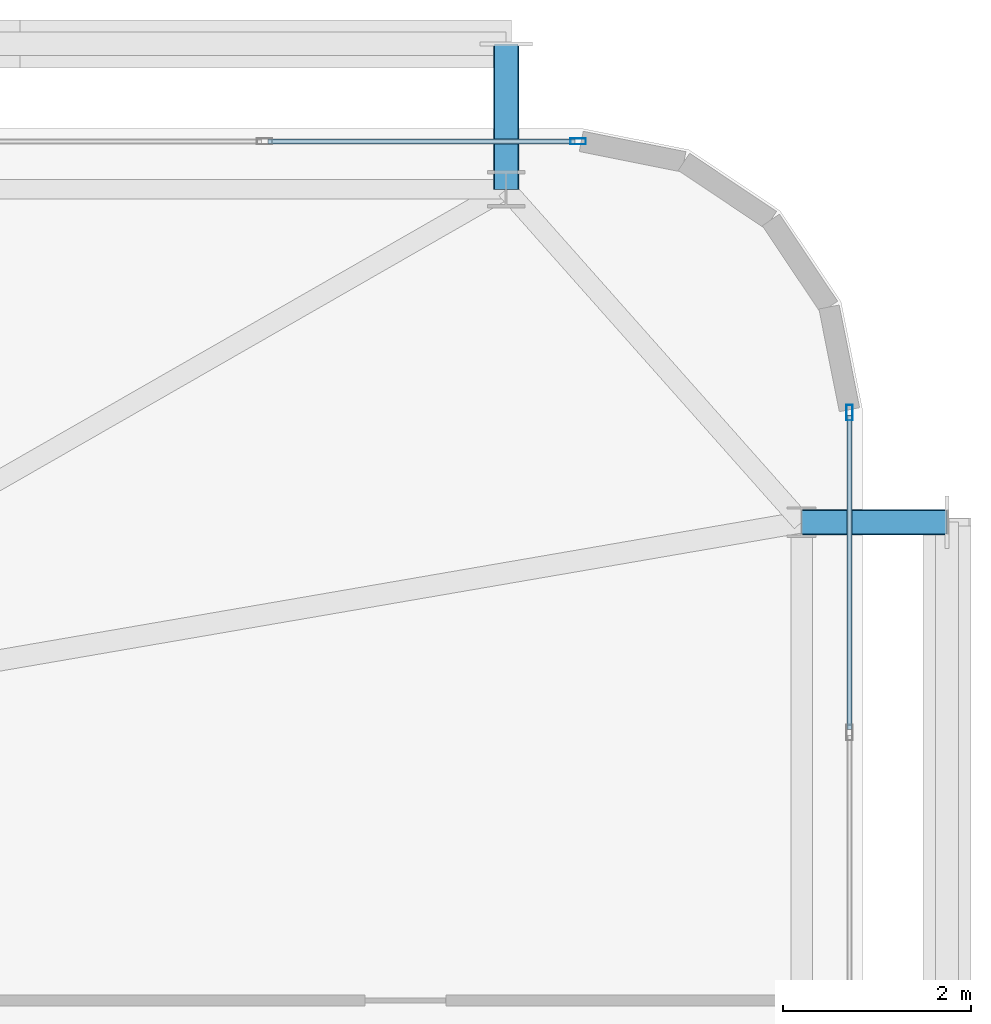
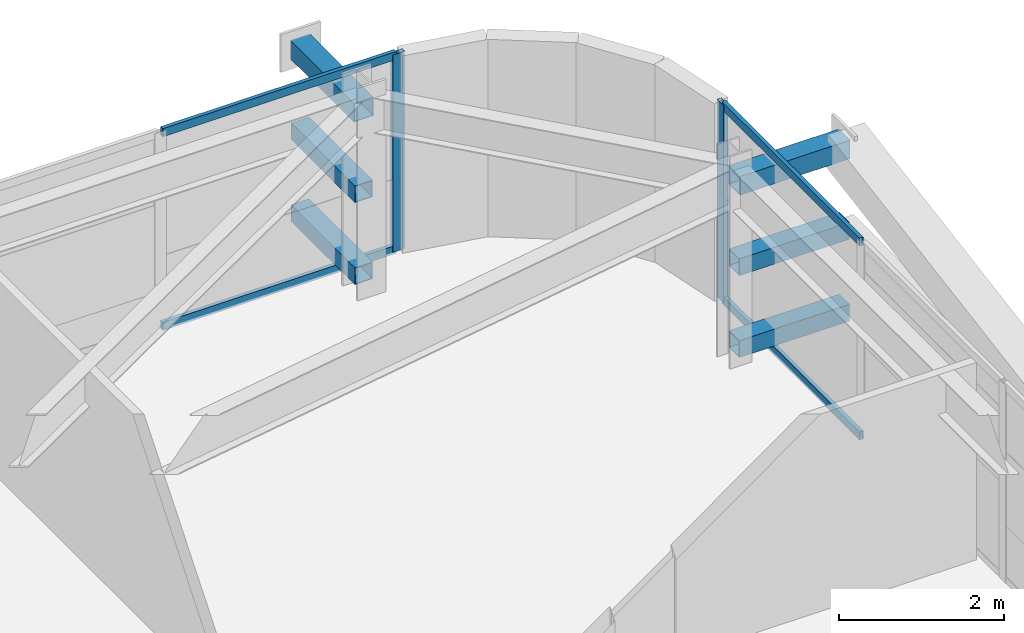
# One storey, part 41 of 59: 12 members, 2 elements without a shape of their own.
"""IFC4 building model written with IfcOpenShell, lengths in metres."""

from ifc_helpers import new_model, si_unit, direction, frame, origin, origin_2d, place, context, subcontext, project, spatial, hollow_rectangle, extrude, source, transform, mapped, material, layer, layer_set, material_profile, profile_set, type_object, element, aggregate, save


model = new_model("IFC4")

# Units and contexts
model_context = context("Model", 3, precision=1e-05, world=origin(), true_north=direction((0.0, 1.0)))
body_context = subcontext(model_context, "Body", "Model", "MODEL_VIEW")
ifc_project = project(units=[si_unit("LENGTHUNIT", "METRE"), si_unit("AREAUNIT", "SQUARE_METRE"), si_unit("VOLUMEUNIT", "CUBIC_METRE"), si_unit("PLANEANGLEUNIT", "RADIAN"), si_unit("MASSUNIT", "GRAM", prefix="KILO")], contexts=[model_context])

# Site, building, storey
site_placement = place(None, origin())
site = spatial("IfcSite", under=ifc_project, at=site_placement, CompositionType="ELEMENT")
building_placement = place(site_placement, origin())
building = spatial("IfcBuilding", under=site, at=building_placement, Name="Taldren Reach Tower", CompositionType="ELEMENT")
storey_placement = place(building_placement, frame((0.0, 0.0, 26.25)))
storey = spatial("IfcBuildingStorey", under=building, at=storey_placement, Name="L07", CompositionType="ELEMENT", Elevation=26.25)

# Members
ifc_material_1 = material(Name="Steel Gr 450 (C450L0)", Category="steel")
ifc_material_profile_1 = material_profile(ifc_material_1, hollow_rectangle(XDim=0.27490234375, YDim=0.27490234375, WallThickness=0.00927734375, at=origin_2d()), Name="275x275x9.3SHS")
ifc_profile_set_1 = profile_set([ifc_material_profile_1], Name="Steel Gr 450 (C450L0)")
member_type_1 = type_object("IfcMemberType", Name="MB-TIE273", PredefinedType="STRUT", material=ifc_profile_set_1)
shared_shape_1 = source(origin(), body_context, "Body", "SweptSolid", [
    extrude(hollow_rectangle(XDim=0.27490234375, YDim=0.27490234375, WallThickness=0.00927734375, at=origin_2d()), origin(), (0.0, 0.0, 1.0), 1.5498046875),
])
for number, where, z_axis, x_axis, name in (
    (1, (61.199951171875, 37.85009765625, 2.64990234375), (0.0, 1.0, 0.0), (-1.0, 0.0, 0.0), "Exoskeleton diaphragm tie strut B1-N6 L07"),
    (2, (64.35009765625, 34.300048828125, 2.64990234375), (1.0, 0.0, 0.0), (0.0, 1.0, 0.0), "Exoskeleton diaphragm tie strut B1-E3 L07"),
):
    element("IfcMember", number, at=place(storey_placement, frame(where, z_axis=z_axis, x_axis=x_axis)), inside=storey, type_object=member_type_1, Name=name, PredefinedType="STRUT", context=body_context, shape_type="MappedRepresentation", body=[
        mapped(shared_shape_1, transform((0.0, 0.0, 0.0), scale=1.0)),
    ])
ifc_material_2 = material(Name="Steel Gr 350 (C350L0)", Category="steel")
ifc_material_profile_2 = material_profile(ifc_material_2, hollow_rectangle(XDim=0.25, YDim=0.25, WallThickness=0.010009765625, at=origin_2d()), Name="250x250x10.0SHS")
ifc_profile_set_2 = profile_set([ifc_material_profile_2], Name="Steel Gr 350 (C350L0)")
member_type_2 = type_object("IfcMemberType", Name="MB-POST250", PredefinedType="POST", material=ifc_profile_set_2)
shared_shape_2 = source(origin(), body_context, "Body", "SweptSolid", [
    extrude(hollow_rectangle(XDim=0.25, YDim=0.25, WallThickness=0.010009765625, at=origin_2d()), origin(), (0.0, 0.0, 1.0), 1.5498046875),
])
for number, where, z_axis, x_axis, name in (
    (3, (61.199951171875, 37.85009765625, 0.219970703125), (0.0, 1.0, 0.0), (-1.0, 0.0, 0.0), "Exoskeleton base diaphragm tie strut B1-N6 L07"),
    (4, (64.35009765625, 34.300048828125, 0.219970703125), (1.0, 0.0, 0.0), (0.0, 1.0, 0.0), "Exoskeleton base diaphragm tie strut B1-E3 L07"),
    (5, (61.199951171875, 37.85009765625, 1.43505859375), (0.0, 1.0, 0.0), (-1.0, 0.0, 0.0), "Exoskeleton mid-tier diaphragm tie B1-N6 L07"),
    (6, (64.35009765625, 34.300048828125, 1.43505859375), (1.0, 0.0, 0.0), (0.0, 1.0, 0.0), "Exoskeleton mid-tier diaphragm tie B1-E3 L07"),
):
    element("IfcMember", number, at=place(storey_placement, frame(where, z_axis=z_axis, x_axis=x_axis)), inside=storey, type_object=member_type_2, Name=name, PredefinedType="POST", context=body_context, shape_type="MappedRepresentation", body=[
        mapped(shared_shape_2, transform((0.0, 0.0, 0.0), scale=1.0)),
    ])

# Curtain wall, member
ifc_material_3 = material(Name="Aluminium and Low-E Glass Unitised System", Category="aluminium")
ifc_layer = layer(ifc_material_3, 0.159912109375)
ifc_layer_set = layer_set([ifc_layer], Name="Aluminium and Low-E Glass Unitised System")
curtain_wall_type = type_object("IfcCurtainWallType", Name="CW-SYS-2", PredefinedType="NOTDEFINED", material=ifc_layer_set)
curtain_wall_1_placement = place(storey_placement, origin())
curtain_wall_1 = element("IfcCurtainWall", 7, at=curtain_wall_1_placement, inside=storey, type_object=curtain_wall_type, Name="Unitised curtain wall CW-L07-N", PredefinedType="NOTDEFINED")
ifc_material_4 = material(Name="Anodised Aluminium 6063-T6", Category="aluminium")
ifc_material_profile_3 = material_profile(ifc_material_4, hollow_rectangle(XDim=0.06494140625, YDim=0.1650390625, WallThickness=0.00390625, at=origin_2d()), Name="ALU-165x65x4RHS")
ifc_profile_set_3 = profile_set([ifc_material_profile_3], Name="Anodised Aluminium 6063-T6")
member_type_3 = type_object("IfcMemberType", Name="CW-MUL-165", PredefinedType="MULLION", material=ifc_profile_set_3)
shared_shape_3 = source(origin(), body_context, "Body", "SweptSolid", [
    extrude(hollow_rectangle(XDim=0.06494140625, YDim=0.1650390625, WallThickness=0.00390625, at=origin_2d()), origin(), (0.0, 0.0, 1.0), 2.929931640625),
])
member_1_placement = place(storey_placement, frame((61.967529296875, 38.360107421875, 0.0), z_axis=(0.0, 0.0, 1.0), x_axis=(0.0, -1.0, 0.0)))
member_1 = element("IfcMember", 8, at=member_1_placement, type_object=member_type_3, Name="CW-2 mullion 1", PredefinedType="MULLION", context=body_context, shape_type="MappedRepresentation", body=[
    mapped(shared_shape_3, transform((0.0, 0.0, 0.0), scale=1.0)),
])

curtain_wall_2_placement = place(storey_placement, origin())
curtain_wall_2 = element("IfcCurtainWall", 9, at=curtain_wall_2_placement, inside=storey, type_object=curtain_wall_type, Name="Unitised curtain wall CW-L07-E", PredefinedType="NOTDEFINED")
member_2_placement = place(storey_placement, frame((64.860107421875, 35.467529296875, 0.0), z_axis=(0.0, 0.0, 1.0), x_axis=(-1.0, 0.0, 0.0)))
member_2 = element("IfcMember", 10, at=member_2_placement, type_object=member_type_3, Name="CW-2 mullion 10", PredefinedType="MULLION", context=body_context, shape_type="MappedRepresentation", body=[
    mapped(shared_shape_3, transform((0.0, 0.0, 0.0), scale=1.0)),
])

# Member
ifc_material_profile_4 = material_profile(ifc_material_4, hollow_rectangle(XDim=0.054931640625, YDim=0.1201171875, WallThickness=0.0029296875, at=origin_2d()), Name="ALU-120x55x3RHS")
ifc_profile_set_4 = profile_set([ifc_material_profile_4], Name="Anodised Aluminium 6063-T6")
member_type_4 = type_object("IfcMemberType", Name="CW-TRN-135", PredefinedType="USERDEFINED", material=ifc_profile_set_4)
shared_shape_4 = source(origin(), body_context, "Body", "SweptSolid", [
    extrude(hollow_rectangle(XDim=0.054931640625, YDim=0.1201171875, WallThickness=0.0029296875, at=origin_2d()), origin(), (0.0, 0.0, 1.0), 3.277587890625),
])
member_3_placement = place(storey_placement, frame((61.93505859375, 38.360107421875, 0.027587890625), z_axis=(-1.0, 0.0, 0.0), x_axis=(0.0, -1.0, 0.0)))
member_3 = element("IfcMember", 11, at=member_3_placement, type_object=member_type_4, Name="CW-2 transom 1.1", ObjectType="TRANSOM", PredefinedType="USERDEFINED", context=body_context, shape_type="MappedRepresentation", body=[
    mapped(shared_shape_4, transform((0.0, 0.0, 0.0), scale=1.0)),
])

member_4_placement = place(storey_placement, frame((61.93505859375, 38.360107421875, 2.902587890625), z_axis=(-1.0, 0.0, 0.0), x_axis=(0.0, -1.0, 0.0)))
member_4 = element("IfcMember", 12, at=member_4_placement, type_object=member_type_4, Name="CW-2 transom 1.2", ObjectType="TRANSOM", PredefinedType="USERDEFINED", context=body_context, shape_type="MappedRepresentation", body=[
    mapped(shared_shape_4, transform((0.0, 0.0, 0.0), scale=1.0)),
])

aggregate(curtain_wall_1, [member_1, member_3, member_4])

shared_shape_5 = source(origin(), body_context, "Body", "SweptSolid", [
    extrude(hollow_rectangle(XDim=0.054931640625, YDim=0.1201171875, WallThickness=0.0029296875, at=origin_2d()), origin(), (0.0, 0.0, 1.0), 3.346923828125),
])
member_5_placement = place(storey_placement, frame((64.860107421875, 32.088134765625, 0.027587890625), z_axis=(0.0, 1.0, 0.0), x_axis=(-1.0, 0.0, 0.0)))
member_5 = element("IfcMember", 13, at=member_5_placement, type_object=member_type_4, Name="CW-2 transom 9.1", ObjectType="TRANSOM", PredefinedType="USERDEFINED", context=body_context, shape_type="MappedRepresentation", body=[
    mapped(shared_shape_5, transform((0.0, 0.0, 0.0), scale=1.0)),
])

member_6_placement = place(storey_placement, frame((64.860107421875, 32.088134765625, 2.902587890625), z_axis=(0.0, 1.0, 0.0), x_axis=(-1.0, 0.0, 0.0)))
member_6 = element("IfcMember", 14, at=member_6_placement, type_object=member_type_4, Name="CW-2 transom 9.2", ObjectType="TRANSOM", PredefinedType="USERDEFINED", context=body_context, shape_type="MappedRepresentation", body=[
    mapped(shared_shape_5, transform((0.0, 0.0, 0.0), scale=1.0)),
])

aggregate(curtain_wall_2, [member_2, member_5, member_6])

save(model, "model.ifc")
